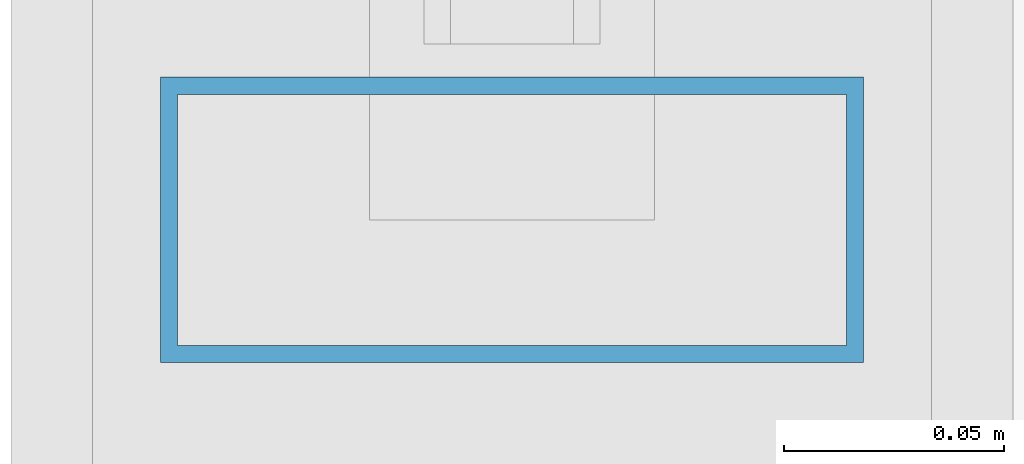
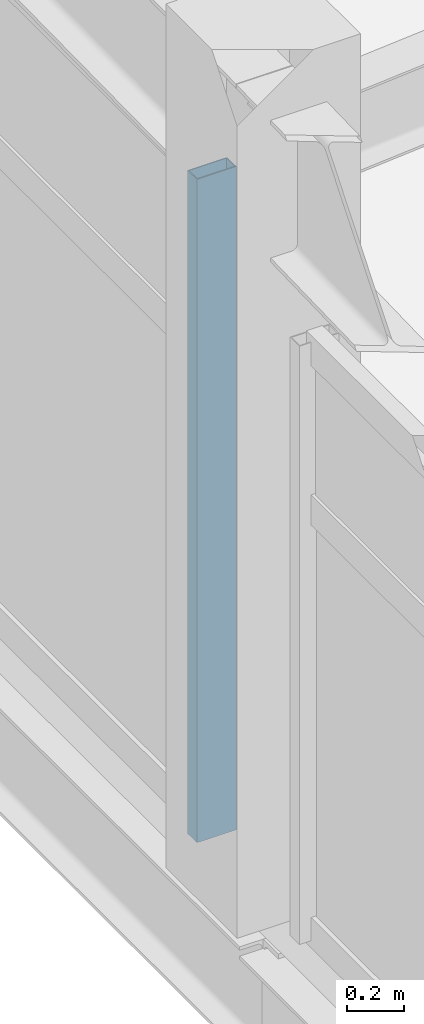
# One storey, part 32 of 65: 1 member, 1 element without a shape of its own.
"""IFC4 building model written with IfcOpenShell, lengths in metres."""

import ifcopenshell
import ifcopenshell.guid

model = None  # the IFC model being written
_history = None  # IfcOwnerHistory: only IFC2X3 demands one
_inside = {}  # id of a spatial element -> (the spatial element, [elements in it])
_under = {}  # id of a project, library or spatial element -> (it, [spatial elements below it])
_declared = {}  # id of a project -> (the project, [libraries it declares])
_typed = {}  # id of a type object -> (the type object, [elements of that type])
_made_of = {}  # id of a material, layer set ... -> (it, [elements and type objects made of it])


def new_model(schema):
    """Start an empty IFC model of exactly this schema.

    Asked for "IFC4X3", IfcOpenShell would pick the latest addendum, in which some entities
    have other attributes; the version numbers below select the first issue.
    IFC2X3 requires an IfcOwnerHistory on every rooted entity: one is made here for all.
    """
    global model, _history
    if schema == "IFC4X3":
        model = ifcopenshell.file(schema_version=(4, 3, 0, 0))
    else:
        model = ifcopenshell.file(schema=schema)
    _inside.clear()
    _under.clear()
    _declared.clear()
    _typed.clear()
    _made_of.clear()
    _history = None
    if model.schema == "IFC2X3":
        org = make("IfcOrganization", Name="unknown")
        user = make(
            "IfcPersonAndOrganization",
            ThePerson=make("IfcPerson", FamilyName="unknown"),
            TheOrganization=org,
        )
        app = make(
            "IfcApplication",
            ApplicationDeveloper=org,
            Version="unknown",
            ApplicationFullName="unknown",
            ApplicationIdentifier="unknown",
        )
        _history = make(
            "IfcOwnerHistory",
            OwningUser=user,
            OwningApplication=app,
            ChangeAction="ADDED",
            CreationDate=0,
        )
    return model


def make(cls, **values):
    """One entity of the class cls with the attributes given. An attribute that is None is left unset."""
    return model.create_entity(
        cls, **{name: value for name, value in values.items() if value is not None}
    )


def rooted(cls, **values):
    """An entity with a GlobalId (a new one), such as an element, a storey or a relation."""
    return make(cls, GlobalId=ifcopenshell.guid.new(), OwnerHistory=_history, **values)


def si_unit(unit_type, name, prefix=None):
    """IfcSIUnit, for example si_unit("LENGTHUNIT", "METRE", prefix="MILLI")."""
    return make("IfcSIUnit", UnitType=unit_type, Prefix=prefix, Name=name)


def assignment(units):
    """IfcUnitAssignment: the units of a project."""
    return None if units is None else make("IfcUnitAssignment", Units=units)


def point(xyz):
    """IfcCartesianPoint."""
    return None if xyz is None else make("IfcCartesianPoint", Coordinates=xyz)


def direction(xyz):
    """IfcDirection."""
    return None if xyz is None else make("IfcDirection", DirectionRatios=xyz)


def frame(location, z_axis=None, x_axis=None):
    """IfcAxis2Placement3D, a coordinate frame: its origin and axes. An axis left out is left unset."""
    return make(
        "IfcAxis2Placement3D",
        Location=point(location),
        Axis=direction(z_axis),
        RefDirection=direction(x_axis),
    )


def frame_2d(location, x_axis=None):
    """IfcAxis2Placement2D, a coordinate frame in the plane: its origin and x axis."""
    return make(
        "IfcAxis2Placement2D", Location=point(location), RefDirection=direction(x_axis)
    )


def origin():
    """The frame at (0, 0, 0) with its axes left unset."""
    return frame((0.0, 0.0, 0.0))


def origin_2d():
    """The frame at (0, 0) in the plane with its x axis left unset."""
    return frame_2d((0.0, 0.0))


def place(relative_to, where):
    """IfcLocalPlacement: puts the frame where relative to a parent placement (None: the world)."""
    return make(
        "IfcLocalPlacement", PlacementRelTo=relative_to, RelativePlacement=where
    )


def context(
    kind, dimensions, precision=None, world=None, true_north=None, identifier=None
):
    """IfcGeometricRepresentationContext, for example the 3D "Model" context."""
    return make(
        "IfcGeometricRepresentationContext",
        ContextIdentifier=identifier,
        ContextType=kind,
        CoordinateSpaceDimension=dimensions,
        Precision=precision,
        WorldCoordinateSystem=world,
        TrueNorth=true_north,
    )


def subcontext(parent, identifier, kind, view, scale=None):
    """IfcGeometricRepresentationSubContext, for example "Body" below "Model"."""
    return make(
        "IfcGeometricRepresentationSubContext",
        ContextIdentifier=identifier,
        ContextType=kind,
        ParentContext=parent,
        TargetScale=scale,
        TargetView=view,
    )


def project(units=None, contexts=None):
    """IfcProject with its units and contexts."""
    return rooted(
        "IfcProject",
        Name="project",
        RepresentationContexts=contexts,
        UnitsInContext=assignment(units),
    )


def spatial(cls, under=None, at=None, **own):
    """A site, building, storey or space (cls), placed at a placement, below another one or the project."""
    s = rooted(cls, ObjectPlacement=at, **own)
    if under is not None:
        _under.setdefault(under.id(), (under, []))[1].append(s)
    return s


def profile(cls, at=None, kind="AREA", **sizes):
    """A parametric profile (cls). Its sizes go by their IFC names, for example OverallWidth=200.0."""
    return make(cls, ProfileType=kind, Position=at, **sizes)


def hollow_rectangle(**sizes):
    """IfcRectangleHollowProfileDef."""
    return profile("IfcRectangleHollowProfileDef", **sizes)


def extrude(swept, where, along, depth):
    """IfcExtrudedAreaSolid: the profile swept, set in the frame where, extruded along a direction by depth."""
    return make(
        "IfcExtrudedAreaSolid",
        SweptArea=swept,
        Position=where,
        ExtrudedDirection=direction(along),
        Depth=depth,
    )


def shape(context_of_items, identifier, shape_type, items):
    """IfcShapeRepresentation: the items that make up one representation, for example the "Body"."""
    return make(
        "IfcShapeRepresentation",
        ContextOfItems=context_of_items,
        RepresentationIdentifier=identifier,
        RepresentationType=shape_type,
        Items=items,
    )


def material(Name=None, Category=None):
    """IfcMaterial."""
    return make("IfcMaterial", Name=Name, Category=Category)


def layer(
    of_material, thickness, ventilated=None, Name=None, Category=None, Priority=None
):
    """IfcMaterialLayer: one layer of a wall or slab, of a material (None: an air gap)."""
    return make(
        "IfcMaterialLayer",
        Material=of_material,
        LayerThickness=thickness,
        IsVentilated=ventilated,
        Name=Name,
        Category=Category,
        Priority=Priority,
    )


def layer_set(layers, Name=None):
    """IfcMaterialLayerSet."""
    return make("IfcMaterialLayerSet", MaterialLayers=layers, LayerSetName=Name)


def material_profile(
    of_material, cross_section, Name=None, Category=None, Priority=None
):
    """IfcMaterialProfile: a cross section and its material."""
    return make(
        "IfcMaterialProfile",
        Name=Name,
        Material=of_material,
        Profile=cross_section,
        Priority=Priority,
        Category=Category,
    )


def profile_set(profiles, Name=None, composite=None):
    """IfcMaterialProfileSet."""
    return make(
        "IfcMaterialProfileSet",
        Name=Name,
        MaterialProfiles=profiles,
        CompositeProfile=composite,
    )


def made_of(thing, what):
    """Note that an element or type object is made of a material, layer set ...; save() writes the relation."""
    if what is not None:
        _made_of.setdefault(what.id(), (what, []))[1].append(thing)
    return thing


def type_object(cls, material=None, **own):
    """A type object (cls), such as IfcWallType, which elements share."""
    return made_of(rooted(cls, **own), material)


def element(
    cls,
    number,
    at=None,
    inside=None,
    cuts=None,
    type_object=None,
    material=None,
    context=None,
    identifier="Body",
    shape_type=None,
    held_by="IfcProductDefinitionShape",
    body=None,
    shapes=None,
    **own,
):
    """One element of the class cls, such as IfcWall. Its Tag is "e" and its number.

    at: its placement. inside: the storey or other place that contains it. cuts: it is an
    opening in that element (IfcRelVoidsElement). A single representation is given by context,
    identifier, shape_type and body (its items); several are given by shapes. held_by: the class
    of the entity that holds the representations. save() writes the other relations.
    """
    e = rooted(cls, Tag="e%d" % number, ObjectPlacement=at, **own)
    if body is not None:
        shapes = [shape(context, identifier, shape_type, body)]
    if shapes is not None:
        e.Representation = make(held_by, Representations=shapes)
    if inside is not None:
        _inside.setdefault(inside.id(), (inside, []))[1].append(e)
    if cuts is not None:
        rooted(
            "IfcRelVoidsElement", RelatingBuildingElement=cuts, RelatedOpeningElement=e
        )
    if type_object is not None:
        _typed.setdefault(type_object.id(), (type_object, []))[1].append(e)
    return made_of(e, material)


def aggregate(whole, parts):
    """IfcRelAggregates: a whole, such as a stair, and the parts it consists of."""
    return rooted("IfcRelAggregates", RelatingObject=whole, RelatedObjects=parts)


def save(model, path):
    """Write the relations noted so far, then the file.

    IfcRelAggregates (storeys below a building ...), IfcRelContainedInSpatialStructure (elements
    in a storey), IfcRelDefinesByType, IfcRelAssociatesMaterial and IfcRelDeclares: one each for
    every whole, place, type object, material and project.
    """
    for whole, parts in _under.values():
        aggregate(whole, parts)
    for where, things in _inside.values():
        rooted(
            "IfcRelContainedInSpatialStructure",
            RelatedElements=things,
            RelatingStructure=where,
        )
    for kind, things in _typed.values():
        rooted("IfcRelDefinesByType", RelatedObjects=things, RelatingType=kind)
    for what, things in _made_of.values():
        rooted("IfcRelAssociatesMaterial", RelatedObjects=things, RelatingMaterial=what)
    for by, libraries in _declared.values():
        rooted("IfcRelDeclares", RelatingContext=by, RelatedDefinitions=libraries)
    model.write(path)


model = new_model("IFC4")

# Units and contexts
model_context = context("Model", 3, precision=1e-05, world=origin(), true_north=direction((0.0, 1.0)))
body_context = subcontext(model_context, "Body", "Model", "MODEL_VIEW")
ifc_project = project(units=[si_unit("LENGTHUNIT", "METRE"), si_unit("AREAUNIT", "SQUARE_METRE"), si_unit("VOLUMEUNIT", "CUBIC_METRE"), si_unit("PLANEANGLEUNIT", "RADIAN"), si_unit("MASSUNIT", "GRAM", prefix="KILO")], contexts=[model_context])

# Site, building, storey
site_placement = place(None, origin())
site = spatial("IfcSite", under=ifc_project, at=site_placement, CompositionType="ELEMENT")
building_placement = place(site_placement, origin())
building = spatial("IfcBuilding", under=site, at=building_placement, Name="Chalmorin Arch Market", CompositionType="ELEMENT")
storey_placement = place(building_placement, frame((0.0, 0.0, 14.10009765625)))
storey = spatial("IfcBuildingStorey", under=building, at=storey_placement, Name="L03", CompositionType="ELEMENT", Elevation=14.10009765625)

# Curtain wall, member
ifc_material = material(Name="Aluminium 6063-T6", Category="aluminium")
ifc_layer = layer(ifc_material, 0.159912109375)
ifc_layer_set = layer_set([ifc_layer], Name="Aluminium 6063-T6")
curtain_wall_type = type_object("IfcCurtainWallType", Name="CulinaryStudioCurtainWall-CW3-8880x2840", PredefinedType="NOTDEFINED", material=ifc_layer_set)
curtain_wall_placement = place(storey_placement, origin())
curtain_wall = element("IfcCurtainWall", 1, at=curtain_wall_placement, inside=storey, type_object=curtain_wall_type, Name="CW-03-112", PredefinedType="NOTDEFINED")
ifc_material_profile = material_profile(ifc_material, hollow_rectangle(XDim=0.06494140625, YDim=0.159912109375, WallThickness=0.00390625, at=origin_2d()), Name="ALU65X160X4")
ifc_profile_set = profile_set([ifc_material_profile], Name="Aluminium 6063-T6")
member_type = type_object("IfcMemberType", Name="CurtainWallMullion-65x160", PredefinedType="MULLION", material=ifc_profile_set)
member_placement = place(storey_placement, frame((48.0, 81.9599609375, 0.0), z_axis=(0.0, 0.0, 1.0), x_axis=(0.0, 1.0, 0.0)))
member = element("IfcMember", 2, at=member_placement, type_object=member_type, Name="ML-112-01", PredefinedType="MULLION", context=body_context, shape_type="SweptSolid", body=[
    extrude(hollow_rectangle(XDim=0.06494140625, YDim=0.159912109375, WallThickness=0.00390625, at=origin_2d()), origin(), (0.0, 0.0, 1.0), 2.844970703125),
])
aggregate(curtain_wall, [member])

save(model, "model.ifc")
